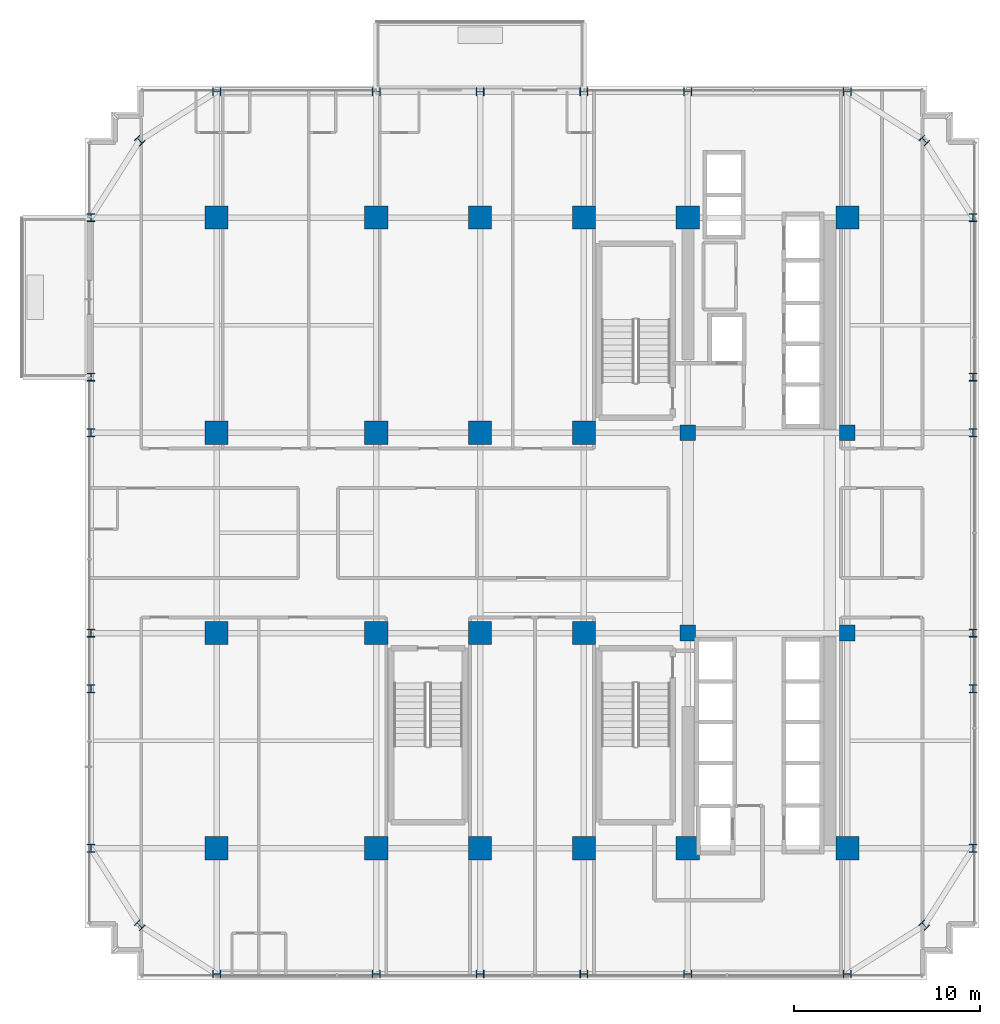
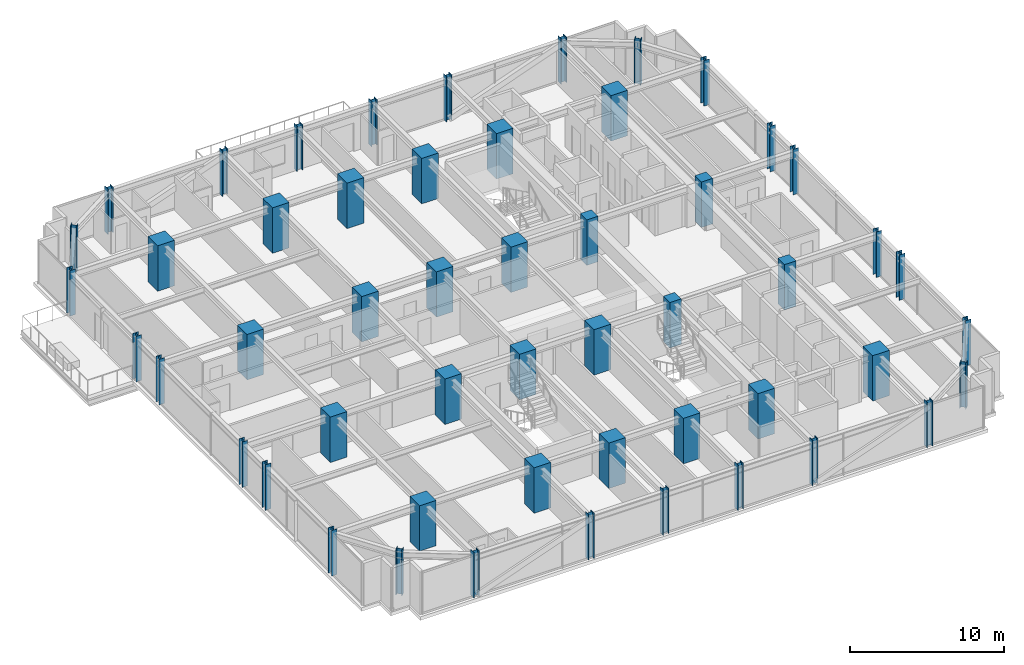
# One storey, part 1 of 40: 52 columns.
"""IFC4 building model written with IfcOpenShell, lengths in metres."""

import ifcopenshell
import ifcopenshell.guid

model = None  # the IFC model being written
_history = None  # IfcOwnerHistory: only IFC2X3 demands one
_inside = {}  # id of a spatial element -> (the spatial element, [elements in it])
_under = {}  # id of a project, library or spatial element -> (it, [spatial elements below it])
_declared = {}  # id of a project -> (the project, [libraries it declares])
_typed = {}  # id of a type object -> (the type object, [elements of that type])
_made_of = {}  # id of a material, layer set ... -> (it, [elements and type objects made of it])


def new_model(schema):
    """Start an empty IFC model of exactly this schema.

    Asked for "IFC4X3", IfcOpenShell would pick the latest addendum, in which some entities
    have other attributes; the version numbers below select the first issue.
    IFC2X3 requires an IfcOwnerHistory on every rooted entity: one is made here for all.
    """
    global model, _history
    if schema == "IFC4X3":
        model = ifcopenshell.file(schema_version=(4, 3, 0, 0))
    else:
        model = ifcopenshell.file(schema=schema)
    _inside.clear()
    _under.clear()
    _declared.clear()
    _typed.clear()
    _made_of.clear()
    _history = None
    if model.schema == "IFC2X3":
        org = make("IfcOrganization", Name="unknown")
        user = make(
            "IfcPersonAndOrganization",
            ThePerson=make("IfcPerson", FamilyName="unknown"),
            TheOrganization=org,
        )
        app = make(
            "IfcApplication",
            ApplicationDeveloper=org,
            Version="unknown",
            ApplicationFullName="unknown",
            ApplicationIdentifier="unknown",
        )
        _history = make(
            "IfcOwnerHistory",
            OwningUser=user,
            OwningApplication=app,
            ChangeAction="ADDED",
            CreationDate=0,
        )
    return model


def make(cls, **values):
    """One entity of the class cls with the attributes given. An attribute that is None is left unset."""
    return model.create_entity(
        cls, **{name: value for name, value in values.items() if value is not None}
    )


def rooted(cls, **values):
    """An entity with a GlobalId (a new one), such as an element, a storey or a relation."""
    return make(cls, GlobalId=ifcopenshell.guid.new(), OwnerHistory=_history, **values)


def si_unit(unit_type, name, prefix=None):
    """IfcSIUnit, for example si_unit("LENGTHUNIT", "METRE", prefix="MILLI")."""
    return make("IfcSIUnit", UnitType=unit_type, Prefix=prefix, Name=name)


def assignment(units):
    """IfcUnitAssignment: the units of a project."""
    return None if units is None else make("IfcUnitAssignment", Units=units)


def point(xyz):
    """IfcCartesianPoint."""
    return None if xyz is None else make("IfcCartesianPoint", Coordinates=xyz)


def direction(xyz):
    """IfcDirection."""
    return None if xyz is None else make("IfcDirection", DirectionRatios=xyz)


def frame(location, z_axis=None, x_axis=None):
    """IfcAxis2Placement3D, a coordinate frame: its origin and axes. An axis left out is left unset."""
    return make(
        "IfcAxis2Placement3D",
        Location=point(location),
        Axis=direction(z_axis),
        RefDirection=direction(x_axis),
    )


def frame_2d(location, x_axis=None):
    """IfcAxis2Placement2D, a coordinate frame in the plane: its origin and x axis."""
    return make(
        "IfcAxis2Placement2D", Location=point(location), RefDirection=direction(x_axis)
    )


def origin():
    """The frame at (0, 0, 0) with its axes left unset."""
    return frame((0.0, 0.0, 0.0))


def origin_2d():
    """The frame at (0, 0) in the plane with its x axis left unset."""
    return frame_2d((0.0, 0.0))


def place(relative_to, where):
    """IfcLocalPlacement: puts the frame where relative to a parent placement (None: the world)."""
    return make(
        "IfcLocalPlacement", PlacementRelTo=relative_to, RelativePlacement=where
    )


def context(
    kind, dimensions, precision=None, world=None, true_north=None, identifier=None
):
    """IfcGeometricRepresentationContext, for example the 3D "Model" context."""
    return make(
        "IfcGeometricRepresentationContext",
        ContextIdentifier=identifier,
        ContextType=kind,
        CoordinateSpaceDimension=dimensions,
        Precision=precision,
        WorldCoordinateSystem=world,
        TrueNorth=true_north,
    )


def subcontext(parent, identifier, kind, view, scale=None):
    """IfcGeometricRepresentationSubContext, for example "Body" below "Model"."""
    return make(
        "IfcGeometricRepresentationSubContext",
        ContextIdentifier=identifier,
        ContextType=kind,
        ParentContext=parent,
        TargetScale=scale,
        TargetView=view,
    )


def project(units=None, contexts=None):
    """IfcProject with its units and contexts."""
    return rooted(
        "IfcProject",
        Name="project",
        RepresentationContexts=contexts,
        UnitsInContext=assignment(units),
    )


def spatial(cls, under=None, at=None, **own):
    """A site, building, storey or space (cls), placed at a placement, below another one or the project."""
    s = rooted(cls, ObjectPlacement=at, **own)
    if under is not None:
        _under.setdefault(under.id(), (under, []))[1].append(s)
    return s


def profile(cls, at=None, kind="AREA", **sizes):
    """A parametric profile (cls). Its sizes go by their IFC names, for example OverallWidth=200.0."""
    return make(cls, ProfileType=kind, Position=at, **sizes)


def rectangle(**sizes):
    """IfcRectangleProfileDef."""
    return profile("IfcRectangleProfileDef", **sizes)


def i_section(**sizes):
    """IfcIShapeProfileDef."""
    return profile("IfcIShapeProfileDef", **sizes)


def extrude(swept, where, along, depth):
    """IfcExtrudedAreaSolid: the profile swept, set in the frame where, extruded along a direction by depth."""
    return make(
        "IfcExtrudedAreaSolid",
        SweptArea=swept,
        Position=where,
        ExtrudedDirection=direction(along),
        Depth=depth,
    )


def shape(context_of_items, identifier, shape_type, items):
    """IfcShapeRepresentation: the items that make up one representation, for example the "Body"."""
    return make(
        "IfcShapeRepresentation",
        ContextOfItems=context_of_items,
        RepresentationIdentifier=identifier,
        RepresentationType=shape_type,
        Items=items,
    )


def source(mapping_origin, context_of_items, identifier, shape_type, items):
    """IfcRepresentationMap: a shape defined once, which mapped items show again and again."""
    return make(
        "IfcRepresentationMap",
        MappingOrigin=mapping_origin,
        MappedRepresentation=shape(context_of_items, identifier, shape_type, items),
    )


def transform(
    local_origin,
    x_axis=None,
    y_axis=None,
    z_axis=None,
    scale=None,
    scale2=None,
    scale3=None,
    uniform=True,
):
    """IfcCartesianTransformationOperator3D, or its non-uniform kind. x_axis, y_axis, z_axis: its Axis1, 2, 3."""
    if uniform:
        return make(
            "IfcCartesianTransformationOperator3D",
            Axis1=direction(x_axis),
            Axis2=direction(y_axis),
            LocalOrigin=point(local_origin),
            Scale=scale,
            Axis3=direction(z_axis),
        )
    return make(
        "IfcCartesianTransformationOperator3DnonUniform",
        Axis1=direction(x_axis),
        Axis2=direction(y_axis),
        LocalOrigin=point(local_origin),
        Scale=scale,
        Axis3=direction(z_axis),
        Scale2=scale2,
        Scale3=scale3,
    )


def mapped(mapping_source, mapping_target):
    """IfcMappedItem: shows the shape of a source again, moved by a transform."""
    return make(
        "IfcMappedItem", MappingSource=mapping_source, MappingTarget=mapping_target
    )


def material(Name=None, Category=None):
    """IfcMaterial."""
    return make("IfcMaterial", Name=Name, Category=Category)


def material_profile(
    of_material, cross_section, Name=None, Category=None, Priority=None
):
    """IfcMaterialProfile: a cross section and its material."""
    return make(
        "IfcMaterialProfile",
        Name=Name,
        Material=of_material,
        Profile=cross_section,
        Priority=Priority,
        Category=Category,
    )


def profile_set(profiles, Name=None, composite=None):
    """IfcMaterialProfileSet."""
    return make(
        "IfcMaterialProfileSet",
        Name=Name,
        MaterialProfiles=profiles,
        CompositeProfile=composite,
    )


def made_of(thing, what):
    """Note that an element or type object is made of a material, layer set ...; save() writes the relation."""
    if what is not None:
        _made_of.setdefault(what.id(), (what, []))[1].append(thing)
    return thing


def type_object(cls, material=None, **own):
    """A type object (cls), such as IfcWallType, which elements share."""
    return made_of(rooted(cls, **own), material)


def element(
    cls,
    number,
    at=None,
    inside=None,
    cuts=None,
    type_object=None,
    material=None,
    context=None,
    identifier="Body",
    shape_type=None,
    held_by="IfcProductDefinitionShape",
    body=None,
    shapes=None,
    **own,
):
    """One element of the class cls, such as IfcWall. Its Tag is "e" and its number.

    at: its placement. inside: the storey or other place that contains it. cuts: it is an
    opening in that element (IfcRelVoidsElement). A single representation is given by context,
    identifier, shape_type and body (its items); several are given by shapes. held_by: the class
    of the entity that holds the representations. save() writes the other relations.
    """
    e = rooted(cls, Tag="e%d" % number, ObjectPlacement=at, **own)
    if body is not None:
        shapes = [shape(context, identifier, shape_type, body)]
    if shapes is not None:
        e.Representation = make(held_by, Representations=shapes)
    if inside is not None:
        _inside.setdefault(inside.id(), (inside, []))[1].append(e)
    if cuts is not None:
        rooted(
            "IfcRelVoidsElement", RelatingBuildingElement=cuts, RelatedOpeningElement=e
        )
    if type_object is not None:
        _typed.setdefault(type_object.id(), (type_object, []))[1].append(e)
    return made_of(e, material)


def aggregate(whole, parts):
    """IfcRelAggregates: a whole, such as a stair, and the parts it consists of."""
    return rooted("IfcRelAggregates", RelatingObject=whole, RelatedObjects=parts)


def save(model, path):
    """Write the relations noted so far, then the file.

    IfcRelAggregates (storeys below a building ...), IfcRelContainedInSpatialStructure (elements
    in a storey), IfcRelDefinesByType, IfcRelAssociatesMaterial and IfcRelDeclares: one each for
    every whole, place, type object, material and project.
    """
    for whole, parts in _under.values():
        aggregate(whole, parts)
    for where, things in _inside.values():
        rooted(
            "IfcRelContainedInSpatialStructure",
            RelatedElements=things,
            RelatingStructure=where,
        )
    for kind, things in _typed.values():
        rooted("IfcRelDefinesByType", RelatedObjects=things, RelatingType=kind)
    for what, things in _made_of.values():
        rooted("IfcRelAssociatesMaterial", RelatedObjects=things, RelatingMaterial=what)
    for by, libraries in _declared.values():
        rooted("IfcRelDeclares", RelatingContext=by, RelatedDefinitions=libraries)
    model.write(path)


model = new_model("IFC4")

# Units and contexts
model_context = context("Model", 3, precision=1e-05, world=origin(), true_north=direction((0.0, 1.0)))
body_context = subcontext(model_context, "Body", "Model", "MODEL_VIEW")
ifc_project = project(units=[si_unit("LENGTHUNIT", "METRE"), si_unit("AREAUNIT", "SQUARE_METRE"), si_unit("VOLUMEUNIT", "CUBIC_METRE"), si_unit("PLANEANGLEUNIT", "RADIAN"), si_unit("MASSUNIT", "GRAM", prefix="KILO")], contexts=[model_context])

# Site, building, storey
site_placement = place(None, origin())
site = spatial("IfcSite", under=ifc_project, at=site_placement, CompositionType="ELEMENT")
building_placement = place(site_placement, origin())
building = spatial("IfcBuilding", under=site, at=building_placement, Name="Nahalor Promenade Grand Hotel", CompositionType="ELEMENT")
storey_placement = place(building_placement, frame((0.0, 0.0, 91.949951171875)))
storey = spatial("IfcBuildingStorey", under=building, at=storey_placement, Name="L22", CompositionType="ELEMENT", Elevation=91.949951171875)

# Columns
ifc_material_1 = material(Name="Concrete B-70 (C60/75)", Category="concrete")
ifc_material_profile_1 = material_profile(ifc_material_1, rectangle(XDim=0.85, YDim=0.85, at=origin_2d()), Name="RC 850x850")
ifc_profile_set_1 = profile_set([ifc_material_profile_1], Name="Concrete B-70 (C60/75)")
column_type_1 = type_object("IfcColumnType", Name="Col-Pilaster-850", PredefinedType="PILASTER", material=ifc_profile_set_1)
shared_shape_1 = source(origin(), body_context, "Body", "SweptSolid", [
    extrude(rectangle(XDim=0.85, YDim=0.85, at=origin_2d()), origin(), (0.0, 0.0, 1.0), 3.60498046875),
])
for number, where, z_axis, x_axis, name in (
    (1, (8.39990234375, -5.39990234375, 0.0), (0.0, 0.0, 1.0), (1.0, 0.0, 0.0), "COL-L22-I41"),
    (2, (8.39990234375, 5.39990234375, 0.0), (0.0, 0.0, 1.0), (1.0, 0.0, 0.0), "COL-L22-I42"),
    (3, (17.0, -5.39990234375, 0.0), (0.0, 0.0, 1.0), (1.0, 0.0, 0.0), "COL-L22-I51"),
    (4, (17.0, 5.39990234375, 0.0), (0.0, 0.0, 1.0), (1.0, 0.0, 0.0), "COL-L22-I52"),
):
    element("IfcColumn", number, at=place(storey_placement, frame(where, z_axis=z_axis, x_axis=x_axis)), inside=storey, type_object=column_type_1, Name=name, PredefinedType="PILASTER", context=body_context, shape_type="MappedRepresentation", body=[
        mapped(shared_shape_1, transform((0.0, 0.0, 0.0), scale=1.0)),
    ])
ifc_material_2 = material(Name="Concrete B-60 (C50/60)", Category="concrete")
ifc_material_profile_2 = material_profile(ifc_material_2, rectangle(XDim=1.25, YDim=1.25, at=origin_2d()), Name="RC 1250x1250")
ifc_profile_set_2 = profile_set([ifc_material_profile_2], Name="Concrete B-60 (C50/60)")
column_type_2 = type_object("IfcColumnType", Name="Col-RC-1250", PredefinedType="COLUMN", material=ifc_profile_set_2)
shared_shape_2 = source(origin(), body_context, "Body", "SweptSolid", [
    extrude(rectangle(XDim=1.25, YDim=1.25, at=origin_2d()), origin(), (0.0, 0.0, 1.0), 3.60498046875),
])
for number, where, z_axis, x_axis, name in (
    (5, (-17.0, -17.0, 0.0), (0.0, 0.0, 1.0), (1.0, 0.0, 0.0), "COL-L22-I00"),
    (6, (-17.0, -5.39990234375, 0.0), (0.0, 0.0, 1.0), (1.0, 0.0, 0.0), "COL-L22-I01"),
    (7, (-17.0, 5.39990234375, 0.0), (0.0, 0.0, 1.0), (1.0, 0.0, 0.0), "COL-L22-I02"),
    (8, (-17.0, 17.0, 0.0), (0.0, 0.0, 1.0), (1.0, 0.0, 0.0), "COL-L22-I03"),
    (9, (-8.39990234375, -17.0, 0.0), (0.0, 0.0, 1.0), (1.0, 0.0, 0.0), "COL-L22-I10"),
    (10, (-8.39990234375, -5.39990234375, 0.0), (0.0, 0.0, 1.0), (1.0, 0.0, 0.0), "COL-L22-I11"),
    (11, (-8.39990234375, 5.39990234375, 0.0), (0.0, 0.0, 1.0), (1.0, 0.0, 0.0), "COL-L22-I12"),
    (12, (-8.39990234375, 17.0, 0.0), (0.0, 0.0, 1.0), (1.0, 0.0, 0.0), "COL-L22-I13"),
    (13, (-2.800048828125, -17.0, 0.0), (0.0, 0.0, 1.0), (1.0, 0.0, 0.0), "COL-L22-I20"),
    (14, (-2.800048828125, -5.39990234375, 0.0), (0.0, 0.0, 1.0), (1.0, 0.0, 0.0), "COL-L22-I21"),
    (15, (-2.800048828125, 5.39990234375, 0.0), (0.0, 0.0, 1.0), (1.0, 0.0, 0.0), "COL-L22-I22"),
    (16, (-2.800048828125, 17.0, 0.0), (0.0, 0.0, 1.0), (1.0, 0.0, 0.0), "COL-L22-I23"),
    (17, (2.800048828125, -17.0, 0.0), (0.0, 0.0, 1.0), (1.0, 0.0, 0.0), "COL-L22-I30"),
    (18, (2.800048828125, -5.39990234375, 0.0), (0.0, 0.0, 1.0), (1.0, 0.0, 0.0), "COL-L22-I31"),
    (19, (2.800048828125, 5.39990234375, 0.0), (0.0, 0.0, 1.0), (1.0, 0.0, 0.0), "COL-L22-I32"),
    (20, (2.800048828125, 17.0, 0.0), (0.0, 0.0, 1.0), (1.0, 0.0, 0.0), "COL-L22-I33"),
    (21, (8.39990234375, -17.0, 0.0), (0.0, 0.0, 1.0), (1.0, 0.0, 0.0), "COL-L22-I40"),
    (22, (8.39990234375, 17.0, 0.0), (0.0, 0.0, 1.0), (1.0, 0.0, 0.0), "COL-L22-I43"),
    (23, (17.0, -17.0, 0.0), (0.0, 0.0, 1.0), (1.0, 0.0, 0.0), "COL-L22-I50"),
    (24, (17.0, 17.0, 0.0), (0.0, 0.0, 1.0), (1.0, 0.0, 0.0), "COL-L22-I53"),
):
    element("IfcColumn", number, at=place(storey_placement, frame(where, z_axis=z_axis, x_axis=x_axis)), inside=storey, type_object=column_type_2, Name=name, PredefinedType="COLUMN", context=body_context, shape_type="MappedRepresentation", body=[
        mapped(shared_shape_2, transform((0.0, 0.0, 0.0), scale=1.0)),
    ])
ifc_material_3 = material(Name="Steel S355J2", Category="steel")
ifc_material_profile_3 = material_profile(ifc_material_3, i_section(OverallWidth=0.409, OverallDepth=0.43, WebThickness=0.0208, FlangeThickness=0.0335, at=origin_2d()), Name="HD 400x421")
ifc_profile_set_3 = profile_set([ifc_material_profile_3], Name="Steel S355J2")
column_type_3 = type_object("IfcColumnType", Name="Col-Steel-HD421", PredefinedType="COLUMN", material=ifc_profile_set_3)
shared_shape_3 = source(origin(), body_context, "Body", "SweptSolid", [
    extrude(i_section(OverallWidth=0.409, OverallDepth=0.43, WebThickness=0.0208, FlangeThickness=0.0335, at=origin_2d()), origin(), (0.0, 0.0, 1.0), 3.60498046875),
])
for number, where, z_axis, x_axis, name in (
    (25, (-23.780029296875, -17.0, 0.0), (0.0, 0.0, 1.0), (1.0, 0.0, 0.0), "COL-L22-PW-W0"),
    (26, (23.780029296875, -17.0, 0.0), (0.0, 0.0, 1.0), (1.0, 0.0, 0.0), "COL-L22-PW-E0"),
    (27, (-23.780029296875, -8.39990234375, 0.0), (0.0, 0.0, 1.0), (1.0, 0.0, 0.0), "COL-L22-PW-W1"),
    (28, (23.780029296875, -8.39990234375, 0.0), (0.0, 0.0, 1.0), (1.0, 0.0, 0.0), "COL-L22-PW-E1"),
    (29, (-23.780029296875, -5.39990234375, 0.0), (0.0, 0.0, 1.0), (1.0, 0.0, 0.0), "COL-L22-PW-W2"),
    (30, (23.780029296875, -5.39990234375, 0.0), (0.0, 0.0, 1.0), (1.0, 0.0, 0.0), "COL-L22-PW-E2"),
    (31, (-23.780029296875, 5.39990234375, 0.0), (0.0, 0.0, 1.0), (1.0, 0.0, 0.0), "COL-L22-PW-W3"),
    (32, (23.780029296875, 5.39990234375, 0.0), (0.0, 0.0, 1.0), (1.0, 0.0, 0.0), "COL-L22-PW-E3"),
    (33, (-23.780029296875, 8.39990234375, 0.0), (0.0, 0.0, 1.0), (1.0, 0.0, 0.0), "COL-L22-PW-W4"),
    (34, (23.780029296875, 8.39990234375, 0.0), (0.0, 0.0, 1.0), (1.0, 0.0, 0.0), "COL-L22-PW-E4"),
    (35, (-23.780029296875, 17.0, 0.0), (0.0, 0.0, 1.0), (1.0, 0.0, 0.0), "COL-L22-PW-W5"),
    (36, (23.780029296875, 17.0, 0.0), (0.0, 0.0, 1.0), (1.0, 0.0, 0.0), "COL-L22-PW-E5"),
    (37, (-17.0, -23.780029296875, 0.0), (0.0, 0.0, 1.0), (0.0, 1.0, 0.0), "COL-L22-PN-S0"),
    (38, (-17.0, 23.780029296875, 0.0), (0.0, 0.0, 1.0), (0.0, 1.0, 0.0), "COL-L22-PN-N0"),
    (39, (-8.39990234375, -23.780029296875, 0.0), (0.0, 0.0, 1.0), (0.0, 1.0, 0.0), "COL-L22-PN-S1"),
    (40, (-8.39990234375, 23.780029296875, 0.0), (0.0, 0.0, 1.0), (0.0, 1.0, 0.0), "COL-L22-PN-N1"),
    (41, (-2.800048828125, -23.780029296875, 0.0), (0.0, 0.0, 1.0), (0.0, 1.0, 0.0), "COL-L22-PN-S2"),
    (42, (-2.800048828125, 23.780029296875, 0.0), (0.0, 0.0, 1.0), (0.0, 1.0, 0.0), "COL-L22-PN-N2"),
    (43, (2.800048828125, -23.780029296875, 0.0), (0.0, 0.0, 1.0), (0.0, 1.0, 0.0), "COL-L22-PN-S3"),
    (44, (2.800048828125, 23.780029296875, 0.0), (0.0, 0.0, 1.0), (0.0, 1.0, 0.0), "COL-L22-PN-N3"),
    (45, (8.39990234375, -23.780029296875, 0.0), (0.0, 0.0, 1.0), (0.0, 1.0, 0.0), "COL-L22-PN-S4"),
    (46, (8.39990234375, 23.780029296875, 0.0), (0.0, 0.0, 1.0), (0.0, 1.0, 0.0), "COL-L22-PN-N4"),
    (47, (17.0, -23.780029296875, 0.0), (0.0, 0.0, 1.0), (0.0, 1.0, 0.0), "COL-L22-PN-S5"),
    (48, (17.0, 23.780029296875, 0.0), (0.0, 0.0, 1.0), (0.0, 1.0, 0.0), "COL-L22-PN-N5"),
    (49, (-21.14990234375, -21.14990234375, 0.0), (0.0, 0.0, 1.0), (0.707106781187, 0.707106781187, 0.0), "COL-L22-CRN-SW"),
    (50, (-21.14990234375, 21.14990234375, 0.0), (0.0, 0.0, 1.0), (0.707106781187, 0.707106781187, 0.0), "COL-L22-CRN-NW"),
    (51, (21.14990234375, -21.14990234375, 0.0), (0.0, 0.0, 1.0), (0.707106781187, 0.707106781187, 0.0), "COL-L22-CRN-SE"),
    (52, (21.14990234375, 21.14990234375, 0.0), (0.0, 0.0, 1.0), (0.707106781187, 0.707106781187, 0.0), "COL-L22-CRN-NE"),
):
    element("IfcColumn", number, at=place(storey_placement, frame(where, z_axis=z_axis, x_axis=x_axis)), inside=storey, type_object=column_type_3, Name=name, PredefinedType="COLUMN", context=body_context, shape_type="MappedRepresentation", body=[
        mapped(shared_shape_3, transform((0.0, 0.0, 0.0), scale=1.0)),
    ])

save(model, "model.ifc")
